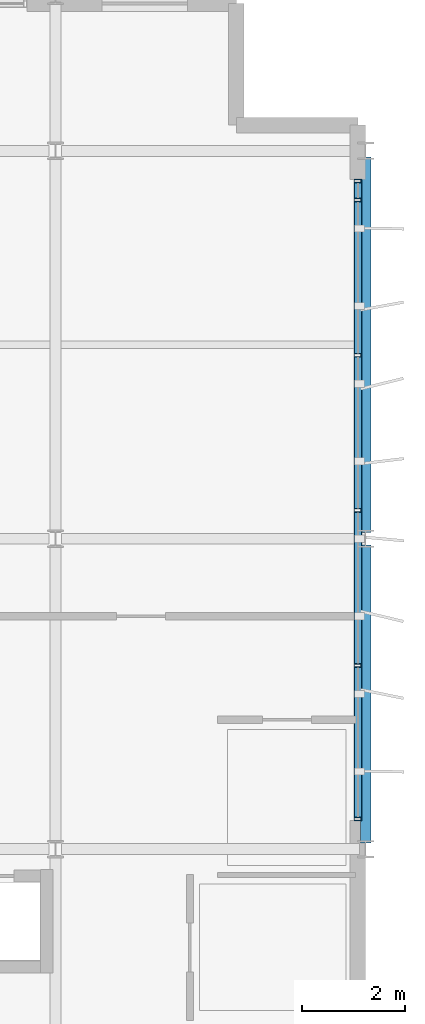
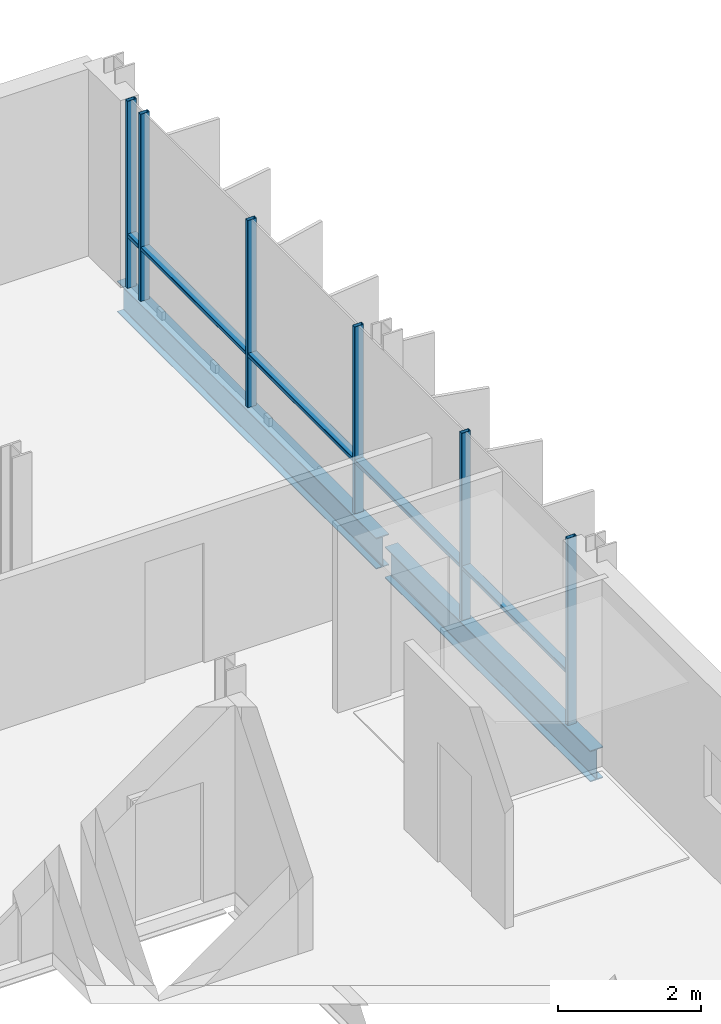
# One storey, part 5 of 12: 11 members, 2 beams, 1 element without a shape of its own.
"""IFC4 building model written with IfcOpenShell, lengths in metres."""

from ifc_helpers import new_model, si_unit, direction, frame, origin, origin_2d, place, context, subcontext, project, spatial, hollow_rectangle, i_section, extrude, material, layer, layer_set, material_profile, profile_set, type_object, element, aggregate, save


model = new_model("IFC4")

# Units and contexts
model_context = context("Model", 3, precision=1e-05, world=origin(), true_north=direction((0.0, 1.0)))
body_context = subcontext(model_context, "Body", "Model", "MODEL_VIEW")
ifc_project = project(units=[si_unit("LENGTHUNIT", "METRE"), si_unit("AREAUNIT", "SQUARE_METRE"), si_unit("VOLUMEUNIT", "CUBIC_METRE"), si_unit("PLANEANGLEUNIT", "RADIAN"), si_unit("MASSUNIT", "GRAM", prefix="KILO")], contexts=[model_context])

# Site, building, storey
site_placement = place(None, origin())
site = spatial("IfcSite", under=ifc_project, at=site_placement, CompositionType="ELEMENT")
building_placement = place(site_placement, origin())
building = spatial("IfcBuilding", under=site, at=building_placement, Name="Brevholm Reach", CompositionType="ELEMENT")
storey_placement = place(building_placement, frame((0.0, 0.0, 236.60009765625)))
storey = spatial("IfcBuildingStorey", under=building, at=storey_placement, Name="L72", CompositionType="ELEMENT", Elevation=236.60009765625)

# Beams
ifc_material_1 = material(Name="Structural Steel S355J2", Category="steel")
ifc_material_profile_1 = material_profile(ifc_material_1, i_section(OverallWidth=0.209228515625, OverallDepth=0.533203125, WebThickness=0.010009765625, FlangeThickness=0.015625, FilletRadius=0.0126953125, at=origin_2d()), Name="UKB 533x210x92")
ifc_profile_set_1 = profile_set([ifc_material_profile_1], Name="Structural Steel S355J2")
beam_type = type_object("IfcBeamType", Name="BM-SP533", PredefinedType="SPANDREL", material=ifc_profile_set_1)
beam_1_placement = place(storey_placement, frame((60.0, 10.1201171875, -0.4765625), z_axis=(0.0, 1.0, 0.0), x_axis=(-1.0, 0.0, 0.0)))
element("IfcBeam", 1, at=beam_1_placement, inside=storey, type_object=beam_type, Name="L72 SP-02 Framing Beam", PredefinedType="SPANDREL", context=body_context, shape_type="SweptSolid", body=[
    extrude(i_section(OverallWidth=0.209228515625, OverallDepth=0.533203125, WebThickness=0.010009765625, FlangeThickness=0.015625, FilletRadius=0.0126953125, at=origin_2d()), origin(), (0.0, 0.0, 1.0), 5.759765625),
])
beam_2_placement = place(storey_placement, frame((60.0, 16.1201171875, -0.4765625), z_axis=(0.0, 1.0, 0.0), x_axis=(-1.0, 0.0, 0.0)))
element("IfcBeam", 2, at=beam_2_placement, inside=storey, type_object=beam_type, Name="L72 SP-02 Framing Beam", PredefinedType="SPANDREL", context=body_context, shape_type="SweptSolid", body=[
    extrude(i_section(OverallWidth=0.209228515625, OverallDepth=0.533203125, WebThickness=0.010009765625, FlangeThickness=0.015625, FilletRadius=0.0126953125, at=origin_2d()), origin(), (0.0, 0.0, 1.0), 7.259765625),
])

# Curtain wall, members
ifc_material_2 = material(Name="Dark Anodised Aluminium 6063-T6 and Solar-Control Glass", Category="aluminium")
ifc_layer = layer(ifc_material_2, 0.14990234375)
ifc_layer_set = layer_set([ifc_layer], Name="Dark Anodised Aluminium 6063-T6 and Solar-Control Glass")
curtain_wall_type = type_object("IfcCurtainWallType", Name="CW-01", PredefinedType="NOTDEFINED", material=ifc_layer_set)
curtain_wall_placement = place(storey_placement, origin())
curtain_wall = element("IfcCurtainWall", 3, at=curtain_wall_placement, inside=storey, type_object=curtain_wall_type, Name="L72 Curtain Wall CW-01", PredefinedType="NOTDEFINED")
ifc_material_3 = material(Name="Dark Anodised Aluminium 6063-T6", Category="aluminium")
ifc_material_profile_2 = material_profile(ifc_material_3, hollow_rectangle(XDim=0.06494140625, YDim=0.14990234375, WallThickness=0.0048828125, InnerFilletRadius=0.0048828125, OuterFilletRadius=0.010009765625, at=origin_2d()), Name="RHS 150x65x5")
ifc_profile_set_2 = profile_set([ifc_material_profile_2], Name="Dark Anodised Aluminium 6063-T6")
member_type_1 = type_object("IfcMemberType", Name="CWM-150", PredefinedType="MULLION", material=ifc_profile_set_2)
member_1_placement = place(storey_placement, frame((59.85009765625, 10.58251953125, 0.0), z_axis=(0.0, 0.0, 1.0), x_axis=(0.0, 1.0, 0.0)))
member_1 = element("IfcMember", 4, at=member_1_placement, type_object=member_type_1, Name="CM-150 Mullion 1", PredefinedType="MULLION", context=body_context, shape_type="SweptSolid", body=[
    extrude(hollow_rectangle(XDim=0.06494140625, YDim=0.14990234375, WallThickness=0.0048828125, InnerFilletRadius=0.0048828125, OuterFilletRadius=0.010009765625, at=origin_2d()), origin(), (0.0, 0.0, 1.0), 3.199951171875),
])
member_2_placement = place(storey_placement, frame((59.85009765625, 13.550048828125, 0.0), z_axis=(0.0, 0.0, 1.0), x_axis=(0.0, 1.0, 0.0)))
member_2 = element("IfcMember", 5, at=member_2_placement, type_object=member_type_1, Name="CM-150 Mullion 2", PredefinedType="MULLION", context=body_context, shape_type="SweptSolid", body=[
    extrude(hollow_rectangle(XDim=0.06494140625, YDim=0.14990234375, WallThickness=0.0048828125, InnerFilletRadius=0.0048828125, OuterFilletRadius=0.010009765625, at=origin_2d()), origin(), (0.0, 0.0, 1.0), 3.199951171875),
])
member_3_placement = place(storey_placement, frame((59.85009765625, 16.550048828125, 0.0), z_axis=(0.0, 0.0, 1.0), x_axis=(0.0, 1.0, 0.0)))
member_3 = element("IfcMember", 6, at=member_3_placement, type_object=member_type_1, Name="CM-150 Mullion 3", PredefinedType="MULLION", context=body_context, shape_type="SweptSolid", body=[
    extrude(hollow_rectangle(XDim=0.06494140625, YDim=0.14990234375, WallThickness=0.0048828125, InnerFilletRadius=0.0048828125, OuterFilletRadius=0.010009765625, at=origin_2d()), origin(), (0.0, 0.0, 1.0), 3.199951171875),
])
member_4_placement = place(storey_placement, frame((59.85009765625, 19.550048828125, 0.0), z_axis=(0.0, 0.0, 1.0), x_axis=(0.0, 1.0, 0.0)))
member_4 = element("IfcMember", 7, at=member_4_placement, type_object=member_type_1, Name="CM-150 Mullion 4", PredefinedType="MULLION", context=body_context, shape_type="SweptSolid", body=[
    extrude(hollow_rectangle(XDim=0.06494140625, YDim=0.14990234375, WallThickness=0.0048828125, InnerFilletRadius=0.0048828125, OuterFilletRadius=0.010009765625, at=origin_2d()), origin(), (0.0, 0.0, 1.0), 3.199951171875),
])
member_5_placement = place(storey_placement, frame((59.85009765625, 22.550048828125, 0.0), z_axis=(0.0, 0.0, 1.0), x_axis=(0.0, 1.0, 0.0)))
member_5 = element("IfcMember", 8, at=member_5_placement, type_object=member_type_1, Name="CM-150 Mullion 5", PredefinedType="MULLION", context=body_context, shape_type="SweptSolid", body=[
    extrude(hollow_rectangle(XDim=0.06494140625, YDim=0.14990234375, WallThickness=0.0048828125, InnerFilletRadius=0.0048828125, OuterFilletRadius=0.010009765625, at=origin_2d()), origin(), (0.0, 0.0, 1.0), 3.199951171875),
])
member_6_placement = place(storey_placement, frame((59.85009765625, 22.91748046875, 0.0), z_axis=(0.0, 0.0, 1.0), x_axis=(0.0, 1.0, 0.0)))
member_6 = element("IfcMember", 9, at=member_6_placement, type_object=member_type_1, Name="CM-150 Mullion 6", PredefinedType="MULLION", context=body_context, shape_type="SweptSolid", body=[
    extrude(hollow_rectangle(XDim=0.06494140625, YDim=0.14990234375, WallThickness=0.0048828125, InnerFilletRadius=0.0048828125, OuterFilletRadius=0.010009765625, at=origin_2d()), origin(), (0.0, 0.0, 1.0), 3.199951171875),
])
ifc_material_4 = material(Name="Dark Anodised Aluminium 6063-T6", Category="aluminium")
ifc_material_profile_3 = material_profile(ifc_material_4, hollow_rectangle(XDim=0.06494140625, YDim=0.14990234375, WallThickness=0.0048828125, InnerFilletRadius=0.0048828125, OuterFilletRadius=0.010009765625, at=origin_2d()), Name="RHS 150x65x5")
ifc_profile_set_3 = profile_set([ifc_material_profile_3], Name="Dark Anodised Aluminium 6063-T6")
member_type_2 = type_object("IfcMemberType", Name="CWT-150", PredefinedType="NOTDEFINED", material=ifc_profile_set_3)
member_7_placement = place(storey_placement, frame((59.85009765625, 10.614990234375, 0.89990234375), z_axis=(0.0, 1.0, 0.0), x_axis=(0.0, 0.0, 1.0)))
member_7 = element("IfcMember", 10, at=member_7_placement, type_object=member_type_2, Name="CT-150 Transom 1.1", ObjectType="TRANSOM", PredefinedType="USERDEFINED", context=body_context, shape_type="SweptSolid", body=[
    extrude(hollow_rectangle(XDim=0.06494140625, YDim=0.14990234375, WallThickness=0.0048828125, InnerFilletRadius=0.0048828125, OuterFilletRadius=0.010009765625, at=origin_2d()), origin(), (0.0, 0.0, 1.0), 2.902587890625),
])
member_8_placement = place(storey_placement, frame((59.85009765625, 13.58251953125, 0.89990234375), z_axis=(0.0, 1.0, 0.0), x_axis=(0.0, 0.0, 1.0)))
member_8 = element("IfcMember", 11, at=member_8_placement, type_object=member_type_2, Name="CT-150 Transom 2.1", ObjectType="TRANSOM", PredefinedType="USERDEFINED", context=body_context, shape_type="SweptSolid", body=[
    extrude(hollow_rectangle(XDim=0.06494140625, YDim=0.14990234375, WallThickness=0.0048828125, InnerFilletRadius=0.0048828125, OuterFilletRadius=0.010009765625, at=origin_2d()), origin(), (0.0, 0.0, 1.0), 2.93505859375),
])
member_9_placement = place(storey_placement, frame((59.85009765625, 16.58251953125, 0.89990234375), z_axis=(0.0, 1.0, 0.0), x_axis=(0.0, 0.0, 1.0)))
member_9 = element("IfcMember", 12, at=member_9_placement, type_object=member_type_2, Name="CT-150 Transom 3.1", ObjectType="TRANSOM", PredefinedType="USERDEFINED", context=body_context, shape_type="SweptSolid", body=[
    extrude(hollow_rectangle(XDim=0.06494140625, YDim=0.14990234375, WallThickness=0.0048828125, InnerFilletRadius=0.0048828125, OuterFilletRadius=0.010009765625, at=origin_2d()), origin(), (0.0, 0.0, 1.0), 2.93505859375),
])
member_10_placement = place(storey_placement, frame((59.85009765625, 19.58251953125, 0.89990234375), z_axis=(0.0, 1.0, 0.0), x_axis=(0.0, 0.0, 1.0)))
member_10 = element("IfcMember", 13, at=member_10_placement, type_object=member_type_2, Name="CT-150 Transom 4.1", ObjectType="TRANSOM", PredefinedType="USERDEFINED", context=body_context, shape_type="SweptSolid", body=[
    extrude(hollow_rectangle(XDim=0.06494140625, YDim=0.14990234375, WallThickness=0.0048828125, InnerFilletRadius=0.0048828125, OuterFilletRadius=0.010009765625, at=origin_2d()), origin(), (0.0, 0.0, 1.0), 2.93505859375),
])
member_11_placement = place(storey_placement, frame((59.85009765625, 22.58251953125, 0.89990234375), z_axis=(0.0, 1.0, 0.0), x_axis=(0.0, 0.0, 1.0)))
member_11 = element("IfcMember", 14, at=member_11_placement, type_object=member_type_2, Name="CT-150 Transom 5.1", ObjectType="TRANSOM", PredefinedType="USERDEFINED", context=body_context, shape_type="SweptSolid", body=[
    extrude(hollow_rectangle(XDim=0.06494140625, YDim=0.14990234375, WallThickness=0.0048828125, InnerFilletRadius=0.0048828125, OuterFilletRadius=0.010009765625, at=origin_2d()), origin(), (0.0, 0.0, 1.0), 0.302490234375),
])
aggregate(curtain_wall, [member_1, member_2, member_3, member_4, member_5, member_6, member_7, member_8, member_9, member_10, member_11])

save(model, "model.ifc")
